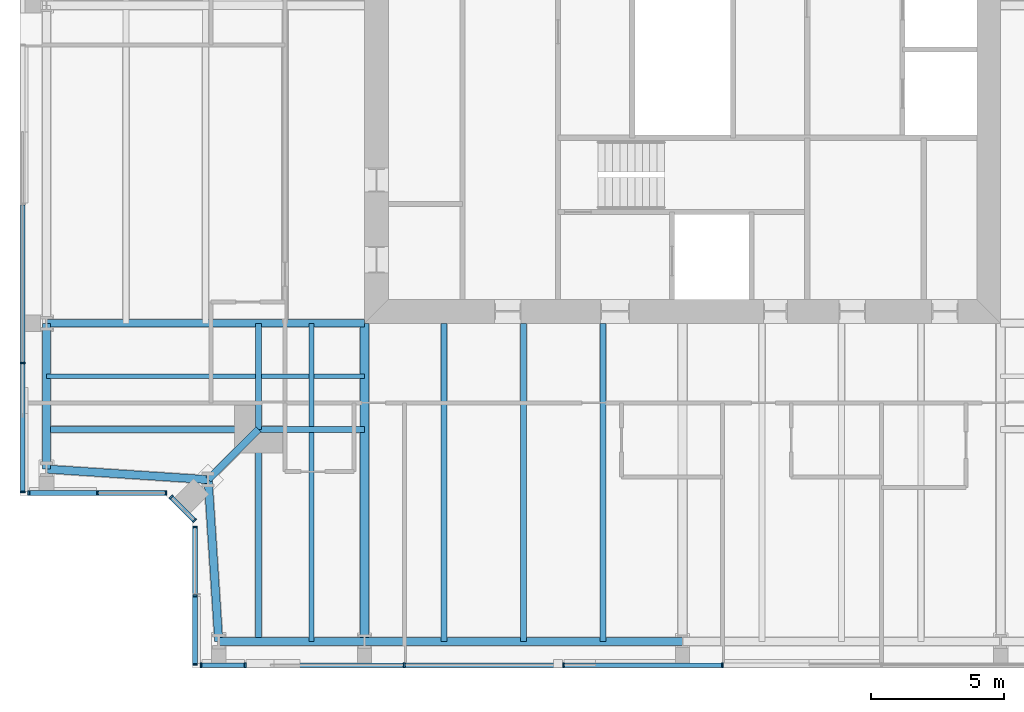
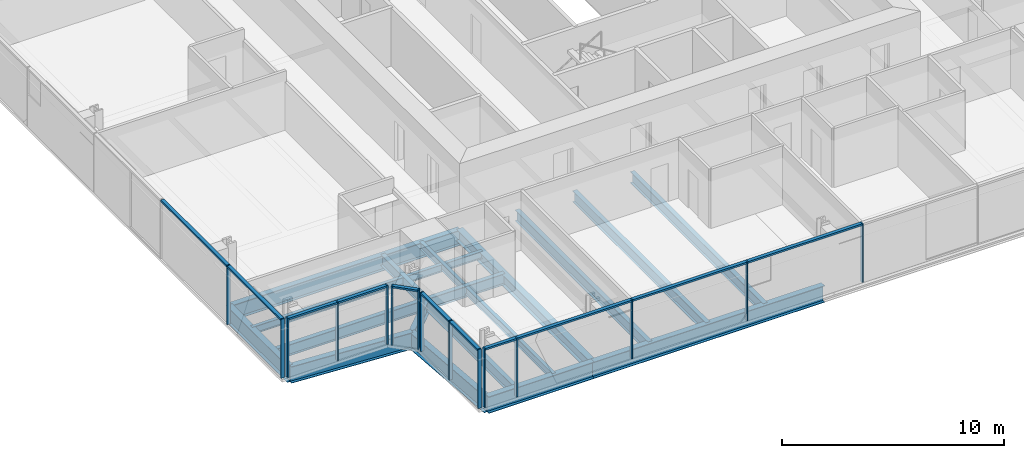
# One storey, part 2 of 20: 26 members, 20 beams, 5 elements without a shape of their own.
"""IFC4 building model written with IfcOpenShell, lengths in metres."""

from ifc_helpers import new_model, si_unit, direction, frame, origin, origin_2d, place, context, subcontext, project, spatial, rectangle, i_section, extrude, material, material_profile, profile_set, type_object, element, aggregate, save


model = new_model("IFC4")

# Units and contexts
model_context = context("Model", 3, precision=1e-05, world=origin(), true_north=direction((0.0, 1.0)))
body_context = subcontext(model_context, "Body", "Model", "MODEL_VIEW")
ifc_project = project(units=[si_unit("LENGTHUNIT", "METRE"), si_unit("AREAUNIT", "SQUARE_METRE"), si_unit("VOLUMEUNIT", "CUBIC_METRE"), si_unit("PLANEANGLEUNIT", "RADIAN"), si_unit("MASSUNIT", "GRAM", prefix="KILO")], contexts=[model_context])

# Site, building, storey
site_placement = place(None, origin())
site = spatial("IfcSite", under=ifc_project, at=site_placement, CompositionType="ELEMENT")
building_placement = place(site_placement, origin())
building = spatial("IfcBuilding", under=site, at=building_placement, Name="Fenwick Lantern Interchange", CompositionType="ELEMENT")
storey_placement = place(building_placement, frame((0.0, 0.0, 279.800048828125)))
storey = spatial("IfcBuildingStorey", under=building, at=storey_placement, Name="L67", CompositionType="ELEMENT", Elevation=279.800048828125)

# Beams
ifc_material_1 = material(Name="Steel ASTM A992 Grade 50", Category="steel")
ifc_material_profile_1 = material_profile(ifc_material_1, i_section(OverallWidth=0.3046875, OverallDepth=0.911865234375, WebThickness=0.015869140625, FlangeThickness=0.02392578125, at=origin_2d()), Name="W36X150")
ifc_profile_set_1 = profile_set([ifc_material_profile_1], Name="Steel ASTM A992 Grade 50")
beam_type_1 = type_object("IfcBeamType", Name="EDGE BEAM W36X150", PredefinedType="SPANDREL", material=ifc_profile_set_1)
beam_1_placement = place(storey_placement, frame((7.5, 1.0, -0.60595703125), z_axis=(1.0, 0.0, 0.0), x_axis=(0.0, 1.0, 0.0)))
element("IfcBeam", 1, at=beam_1_placement, inside=storey, type_object=beam_type_1, Name="L67/FR/S/EB1", PredefinedType="SPANDREL", context=body_context, shape_type="SweptSolid", body=[
    extrude(i_section(OverallWidth=0.3046875, OverallDepth=0.911865234375, WebThickness=0.015869140625, FlangeThickness=0.02392578125, at=origin_2d()), origin(), (0.0, 0.0, 1.0), 5.5),
])
beam_2_placement = place(storey_placement, frame((13.0, 1.0, -0.60595703125), z_axis=(1.0, 0.0, 0.0), x_axis=(0.0, 1.0, 0.0)))
element("IfcBeam", 2, at=beam_2_placement, inside=storey, type_object=beam_type_1, Name="L67/FR/S/EB2", PredefinedType="SPANDREL", context=body_context, shape_type="SweptSolid", body=[
    extrude(i_section(OverallWidth=0.3046875, OverallDepth=0.911865234375, WebThickness=0.015869140625, FlangeThickness=0.02392578125, at=origin_2d()), origin(), (0.0, 0.0, 1.0), 12.0),
])
beam_3_placement = place(storey_placement, frame((1.0, 13.0, -0.60595703125), z_axis=(0.0, -1.0, 0.0), x_axis=(1.0, 0.0, 0.0)))
element("IfcBeam", 3, at=beam_3_placement, inside=storey, type_object=beam_type_1, Name="L67/FR/W/EB4", PredefinedType="SPANDREL", context=body_context, shape_type="SweptSolid", body=[
    extrude(i_section(OverallWidth=0.3046875, OverallDepth=0.911865234375, WebThickness=0.015869140625, FlangeThickness=0.02392578125, at=origin_2d()), origin(), (0.0, 0.0, 1.0), 5.5),
])
for number, where, z_axis, x_axis, name in (
    (4, (1.0, 7.5, -0.60595703125), (0.997858060337, -0.065416293237, 0.0), (0.065416293237, 0.997858060337, 0.0), "L67/FR/W/EBR1"),
    (5, (7.10009765625, 7.10009765625, -0.60595703125), (0.065416293237, -0.997858060337, 0.0), (0.997858060337, 0.065416293237, 0.0), "L67/FR/W/EBR2"),
):
    element("IfcBeam", number, at=place(storey_placement, frame(where, z_axis=z_axis, x_axis=x_axis)), inside=storey, type_object=beam_type_1, Name=name, PredefinedType="SPANDREL", context=body_context, shape_type="SweptSolid", body=[
        extrude(i_section(OverallWidth=0.3046875, OverallDepth=0.911865234375, WebThickness=0.015869140625, FlangeThickness=0.02392578125, at=origin_2d()), origin(), (0.0, 0.0, 1.0), 6.11328125),
    ])
ifc_material_profile_2 = material_profile(ifc_material_1, i_section(OverallWidth=0.22900390625, OverallDepth=0.612060546875, WebThickness=0.011962890625, FlangeThickness=0.01953125, at=origin_2d()), Name="W24X84")
ifc_profile_set_2 = profile_set([ifc_material_profile_2], Name="Steel ASTM A992 Grade 50")
beam_type_2 = type_object("IfcBeamType", Name="FLOOR BEAM W24X84", PredefinedType="BEAM", material=ifc_profile_set_2)
for number, where, z_axis, x_axis, name in (
    (6, (16.0, 1.0, -0.4560546875), (0.0, 1.0, 0.0), (-1.0, 0.0, 0.0), "L67/FR/S/R02"),
    (7, (19.0, 1.0, -0.4560546875), (0.0, 1.0, 0.0), (-1.0, 0.0, 0.0), "L67/FR/S/R03"),
    (8, (22.0, 1.0, -0.4560546875), (0.0, 1.0, 0.0), (-1.0, 0.0, 0.0), "L67/FR/S/R04"),
):
    element("IfcBeam", number, at=place(storey_placement, frame(where, z_axis=z_axis, x_axis=x_axis)), inside=storey, type_object=beam_type_2, Name=name, PredefinedType="BEAM", context=body_context, shape_type="SweptSolid", body=[
        extrude(i_section(OverallWidth=0.22900390625, OverallDepth=0.612060546875, WebThickness=0.011962890625, FlangeThickness=0.01953125, at=origin_2d()), origin(), (0.0, 0.0, 1.0), 12.0),
    ])

# Curtain wall, members
ifc_material_2 = material(Name="Aluminium curtain wall frame", Category="aluminium")
curtain_wall_type = type_object("IfcCurtainWallType", Name="HOTEL CURTAIN WALL", PredefinedType="USERDEFINED", material=ifc_material_2)
curtain_wall_1_placement = place(storey_placement, origin())
curtain_wall_1 = element("IfcCurtainWall", 9, at=curtain_wall_1_placement, inside=storey, type_object=curtain_wall_type, Name="Hotel curtain wall 01", ObjectType="HOTEL CURTAIN WALL", PredefinedType="USERDEFINED")
ifc_material_3 = material(Name="Aluminium extrusion", Category="aluminium")
ifc_material_profile_3 = material_profile(ifc_material_3, rectangle(XDim=0.179931640625, YDim=0.06005859375, at=origin_2d()), Name="HOTEL CURTAIN WALL MULLION 60 X 180")
ifc_profile_set_3 = profile_set([ifc_material_profile_3], Name="Aluminium extrusion")
member_type_1 = type_object("IfcMemberType", Name="HOTEL CURTAIN WALL MULLION 60 X 180", PredefinedType="MULLION", material=ifc_profile_set_3)
member_1_placement = place(storey_placement, frame((6.830078125, 0.10009765625, 0.0), z_axis=(0.0, 0.0, 1.0), x_axis=(0.0, 1.0, 0.0)))
member_1 = element("IfcMember", 10, at=member_1_placement, type_object=member_type_1, Name="L67/CW/01/M00", PredefinedType="MULLION", context=body_context, shape_type="SweptSolid", body=[
    extrude(rectangle(XDim=0.179931640625, YDim=0.06005859375, at=origin_2d()), origin(), (0.0, 0.0, 1.0), 3.25),
])
member_2_placement = place(storey_placement, frame((8.5, 0.10009765625, 0.0), z_axis=(0.0, 0.0, 1.0), x_axis=(0.0, 1.0, 0.0)))
member_2 = element("IfcMember", 11, at=member_2_placement, type_object=member_type_1, Name="L67/CW/01/M01", PredefinedType="MULLION", context=body_context, shape_type="SweptSolid", body=[
    extrude(rectangle(XDim=0.179931640625, YDim=0.06005859375, at=origin_2d()), origin(), (0.0, 0.0, 1.0), 3.25),
])
member_3_placement = place(storey_placement, frame((14.5, 0.10009765625, 0.0), z_axis=(0.0, 0.0, 1.0), x_axis=(0.0, 1.0, 0.0)))
member_3 = element("IfcMember", 12, at=member_3_placement, type_object=member_type_1, Name="L67/CW/01/M02", PredefinedType="MULLION", context=body_context, shape_type="SweptSolid", body=[
    extrude(rectangle(XDim=0.179931640625, YDim=0.06005859375, at=origin_2d()), origin(), (0.0, 0.0, 1.0), 3.25),
])
member_4_placement = place(storey_placement, frame((20.5, 0.10009765625, 0.0), z_axis=(0.0, 0.0, 1.0), x_axis=(0.0, 1.0, 0.0)))
member_4 = element("IfcMember", 13, at=member_4_placement, type_object=member_type_1, Name="L67/CW/01/M03", PredefinedType="MULLION", context=body_context, shape_type="SweptSolid", body=[
    extrude(rectangle(XDim=0.179931640625, YDim=0.06005859375, at=origin_2d()), origin(), (0.0, 0.0, 1.0), 3.25),
])
member_5_placement = place(storey_placement, frame((26.5, 0.10009765625, 0.0), z_axis=(0.0, 0.0, 1.0), x_axis=(0.0, 1.0, 0.0)))
member_5 = element("IfcMember", 14, at=member_5_placement, type_object=member_type_1, Name="L67/CW/01/M04", PredefinedType="MULLION", context=body_context, shape_type="SweptSolid", body=[
    extrude(rectangle(XDim=0.179931640625, YDim=0.06005859375, at=origin_2d()), origin(), (0.0, 0.0, 1.0), 3.25),
])

curtain_wall_2_placement = place(storey_placement, origin())
curtain_wall_2 = element("IfcCurtainWall", 15, at=curtain_wall_2_placement, inside=storey, type_object=curtain_wall_type, Name="Hotel curtain wall 13", ObjectType="HOTEL CURTAIN WALL", PredefinedType="USERDEFINED")
member_6_placement = place(storey_placement, frame((0.10009765625, 11.5, 0.0), z_axis=(0.0, 0.0, 1.0), x_axis=(1.0, 0.0, 0.0)))
member_6 = element("IfcMember", 16, at=member_6_placement, type_object=member_type_1, Name="L67/CW/13/M06", PredefinedType="MULLION", context=body_context, shape_type="SweptSolid", body=[
    extrude(rectangle(XDim=0.179931640625, YDim=0.06005859375, at=origin_2d()), origin(), (0.0, 0.0, 1.0), 3.25),
])
member_7_placement = place(storey_placement, frame((0.10009765625, 6.6298828125, 0.0), z_axis=(0.0, 0.0, 1.0), x_axis=(1.0, 0.0, 0.0)))
member_7 = element("IfcMember", 17, at=member_7_placement, type_object=member_type_1, Name="L67/CW/13/M07", PredefinedType="MULLION", context=body_context, shape_type="SweptSolid", body=[
    extrude(rectangle(XDim=0.179931640625, YDim=0.06005859375, at=origin_2d()), origin(), (0.0, 0.0, 1.0), 3.25),
])

curtain_wall_3_placement = place(storey_placement, origin())
curtain_wall_3 = element("IfcCurtainWall", 18, at=curtain_wall_3_placement, inside=storey, type_object=curtain_wall_type, Name="Hotel curtain wall 14", ObjectType="HOTEL CURTAIN WALL", PredefinedType="USERDEFINED")
member_8_placement = place(storey_placement, frame((0.330078125, 6.60009765625, 0.0), z_axis=(0.0, 0.0, 1.0), x_axis=(0.0, 1.0, 0.0)))
member_8 = element("IfcMember", 19, at=member_8_placement, type_object=member_type_1, Name="L67/CW/14/M00", PredefinedType="MULLION", context=body_context, shape_type="SweptSolid", body=[
    extrude(rectangle(XDim=0.179931640625, YDim=0.06005859375, at=origin_2d()), origin(), (0.0, 0.0, 1.0), 3.25),
])
member_9_placement = place(storey_placement, frame((2.920654296875, 6.60009765625, 0.0), z_axis=(0.0, 0.0, 1.0), x_axis=(0.0, 1.0, 0.0)))
member_9 = element("IfcMember", 20, at=member_9_placement, type_object=member_type_1, Name="L67/CW/14/M01", PredefinedType="MULLION", context=body_context, shape_type="SweptSolid", body=[
    extrude(rectangle(XDim=0.179931640625, YDim=0.06005859375, at=origin_2d()), origin(), (0.0, 0.0, 1.0), 3.25),
])
member_10_placement = place(storey_placement, frame((5.511474609375, 6.60009765625, 0.0), z_axis=(0.0, 0.0, 1.0), x_axis=(0.0, 1.0, 0.0)))
member_10 = element("IfcMember", 21, at=member_10_placement, type_object=member_type_1, Name="L67/CW/14/M02", PredefinedType="MULLION", context=body_context, shape_type="SweptSolid", body=[
    extrude(rectangle(XDim=0.179931640625, YDim=0.06005859375, at=origin_2d()), origin(), (0.0, 0.0, 1.0), 3.25),
])

curtain_wall_4_placement = place(storey_placement, origin())
curtain_wall_4 = element("IfcCurtainWall", 22, at=curtain_wall_4_placement, inside=storey, type_object=curtain_wall_type, Name="Hotel curtain wall 15", ObjectType="HOTEL CURTAIN WALL", PredefinedType="USERDEFINED")
member_11_placement = place(storey_placement, frame((5.7041015625, 6.437255859375, 0.0), z_axis=(0.0, 0.0, 1.0), x_axis=(0.707106781187, 0.707106781187, 0.0)))
member_11 = element("IfcMember", 23, at=member_11_placement, type_object=member_type_1, Name="L67/CW/15/M00", PredefinedType="MULLION", context=body_context, shape_type="SweptSolid", body=[
    extrude(rectangle(XDim=0.179931640625, YDim=0.06005859375, at=origin_2d()), origin(), (0.0, 0.0, 1.0), 3.25),
])
member_12_placement = place(storey_placement, frame((6.578857421875, 5.562744140625, 0.0), z_axis=(0.0, 0.0, 1.0), x_axis=(0.707106781187, 0.707106781187, 0.0)))
member_12 = element("IfcMember", 24, at=member_12_placement, type_object=member_type_1, Name="L67/CW/15/M01", PredefinedType="MULLION", context=body_context, shape_type="SweptSolid", body=[
    extrude(rectangle(XDim=0.179931640625, YDim=0.06005859375, at=origin_2d()), origin(), (0.0, 0.0, 1.0), 3.25),
])

curtain_wall_5_placement = place(storey_placement, origin())
curtain_wall_5 = element("IfcCurtainWall", 25, at=curtain_wall_5_placement, inside=storey, type_object=curtain_wall_type, Name="Hotel curtain wall 16", ObjectType="HOTEL CURTAIN WALL", PredefinedType="USERDEFINED")
member_13_placement = place(storey_placement, frame((6.60009765625, 5.3115234375, 0.0), z_axis=(0.0, 0.0, 1.0), x_axis=(1.0, 0.0, 0.0)))
member_13 = element("IfcMember", 26, at=member_13_placement, type_object=member_type_1, Name="L67/CW/16/M00", PredefinedType="MULLION", context=body_context, shape_type="SweptSolid", body=[
    extrude(rectangle(XDim=0.179931640625, YDim=0.06005859375, at=origin_2d()), origin(), (0.0, 0.0, 1.0), 3.25),
])
member_14_placement = place(storey_placement, frame((6.60009765625, 2.720703125, 0.0), z_axis=(0.0, 0.0, 1.0), x_axis=(1.0, 0.0, 0.0)))
member_14 = element("IfcMember", 27, at=member_14_placement, type_object=member_type_1, Name="L67/CW/16/M01", PredefinedType="MULLION", context=body_context, shape_type="SweptSolid", body=[
    extrude(rectangle(XDim=0.179931640625, YDim=0.06005859375, at=origin_2d()), origin(), (0.0, 0.0, 1.0), 3.25),
])
member_15_placement = place(storey_placement, frame((6.60009765625, 0.1298828125, 0.0), z_axis=(0.0, 0.0, 1.0), x_axis=(1.0, 0.0, 0.0)))
member_15 = element("IfcMember", 28, at=member_15_placement, type_object=member_type_1, Name="L67/CW/16/M02", PredefinedType="MULLION", context=body_context, shape_type="SweptSolid", body=[
    extrude(rectangle(XDim=0.179931640625, YDim=0.06005859375, at=origin_2d()), origin(), (0.0, 0.0, 1.0), 3.25),
])

# Member
ifc_material_profile_4 = material_profile(ifc_material_3, rectangle(XDim=0.179931640625, YDim=0.10009765625, at=origin_2d()), Name="HOTEL CURTAIN WALL TRANSOM 100 X 180")
ifc_profile_set_4 = profile_set([ifc_material_profile_4], Name="Aluminium extrusion")
member_type_2 = type_object("IfcMemberType", Name="HOTEL CURTAIN WALL TRANSOM 100 X 180", PredefinedType="MULLION", material=ifc_profile_set_4)
member_16_placement = place(storey_placement, frame((6.860107421875, 0.10009765625, 3.199951171875), z_axis=(1.0, 0.0, 0.0), x_axis=(0.0, 1.0, 0.0)))
member_16 = element("IfcMember", 29, at=member_16_placement, type_object=member_type_2, Name="L67/CW/01/T00", PredefinedType="MULLION", context=body_context, shape_type="SweptSolid", body=[
    extrude(rectangle(XDim=0.179931640625, YDim=0.10009765625, at=origin_2d()), origin(), (0.0, 0.0, 1.0), 1.60986328125),
])

member_17_placement = place(storey_placement, frame((8.530029296875, 0.10009765625, 3.199951171875), z_axis=(1.0, 0.0, 0.0), x_axis=(0.0, 1.0, 0.0)))
member_17 = element("IfcMember", 30, at=member_17_placement, type_object=member_type_2, Name="L67/CW/01/T01", PredefinedType="MULLION", context=body_context, shape_type="SweptSolid", body=[
    extrude(rectangle(XDim=0.179931640625, YDim=0.10009765625, at=origin_2d()), origin(), (0.0, 0.0, 1.0), 5.93994140625),
])

member_18_placement = place(storey_placement, frame((14.530029296875, 0.10009765625, 3.199951171875), z_axis=(1.0, 0.0, 0.0), x_axis=(0.0, 1.0, 0.0)))
member_18 = element("IfcMember", 31, at=member_18_placement, type_object=member_type_2, Name="L67/CW/01/T02", PredefinedType="MULLION", context=body_context, shape_type="SweptSolid", body=[
    extrude(rectangle(XDim=0.179931640625, YDim=0.10009765625, at=origin_2d()), origin(), (0.0, 0.0, 1.0), 5.93994140625),
])

member_19_placement = place(storey_placement, frame((20.530029296875, 0.10009765625, 3.199951171875), z_axis=(1.0, 0.0, 0.0), x_axis=(0.0, 1.0, 0.0)))
member_19 = element("IfcMember", 32, at=member_19_placement, type_object=member_type_2, Name="L67/CW/01/T03", PredefinedType="MULLION", context=body_context, shape_type="SweptSolid", body=[
    extrude(rectangle(XDim=0.179931640625, YDim=0.10009765625, at=origin_2d()), origin(), (0.0, 0.0, 1.0), 5.93994140625),
])

aggregate(curtain_wall_1, [member_1, member_2, member_3, member_4, member_5, member_16, member_17, member_18, member_19])

member_20_placement = place(storey_placement, frame((0.10009765625, 17.469970703125, 3.199951171875), z_axis=(0.0, -1.0, 0.0), x_axis=(1.0, 0.0, 0.0)))
member_20 = element("IfcMember", 33, at=member_20_placement, type_object=member_type_2, Name="L67/CW/13/T05", PredefinedType="MULLION", context=body_context, shape_type="SweptSolid", body=[
    extrude(rectangle(XDim=0.179931640625, YDim=0.10009765625, at=origin_2d()), origin(), (0.0, 0.0, 1.0), 5.93994140625),
])

member_21_placement = place(storey_placement, frame((0.10009765625, 11.469970703125, 3.199951171875), z_axis=(0.0, -1.0, 0.0), x_axis=(1.0, 0.0, 0.0)))
member_21 = element("IfcMember", 34, at=member_21_placement, type_object=member_type_2, Name="L67/CW/13/T06", PredefinedType="MULLION", context=body_context, shape_type="SweptSolid", body=[
    extrude(rectangle(XDim=0.179931640625, YDim=0.10009765625, at=origin_2d()), origin(), (0.0, 0.0, 1.0), 4.81005859375),
])

aggregate(curtain_wall_2, [member_6, member_7, member_20, member_21])

member_22_placement = place(storey_placement, frame((0.360107421875, 6.60009765625, 3.199951171875), z_axis=(1.0, 0.0, 0.0), x_axis=(0.0, 1.0, 0.0)))
member_22 = element("IfcMember", 35, at=member_22_placement, type_object=member_type_2, Name="L67/CW/14/T00", PredefinedType="MULLION", context=body_context, shape_type="SweptSolid", body=[
    extrude(rectangle(XDim=0.179931640625, YDim=0.10009765625, at=origin_2d()), origin(), (0.0, 0.0, 1.0), 2.530517578125),
])

member_23_placement = place(storey_placement, frame((2.95068359375, 6.60009765625, 3.199951171875), z_axis=(1.0, 0.0, 0.0), x_axis=(0.0, 1.0, 0.0)))
member_23 = element("IfcMember", 36, at=member_23_placement, type_object=member_type_2, Name="L67/CW/14/T01", PredefinedType="MULLION", context=body_context, shape_type="SweptSolid", body=[
    extrude(rectangle(XDim=0.179931640625, YDim=0.10009765625, at=origin_2d()), origin(), (0.0, 0.0, 1.0), 2.53076171875),
])

aggregate(curtain_wall_3, [member_8, member_9, member_10, member_22, member_23])

member_24_placement = place(storey_placement, frame((5.725341796875, 6.416259765625, 3.199951171875), z_axis=(0.707003077033, -0.707210470133, 0.0), x_axis=(0.707210470133, 0.707003077033, 0.0)))
member_24 = element("IfcMember", 37, at=member_24_placement, type_object=member_type_2, Name="L67/CW/15/T00", PredefinedType="MULLION", context=body_context, shape_type="SweptSolid", body=[
    extrude(rectangle(XDim=0.179931640625, YDim=0.10009765625, at=origin_2d()), origin(), (0.0, 0.0, 1.0), 1.17724609375),
])

aggregate(curtain_wall_4, [member_11, member_12, member_24])

member_25_placement = place(storey_placement, frame((6.60009765625, 5.281494140625, 3.199951171875), z_axis=(0.0, -1.0, 0.0), x_axis=(1.0, 0.0, 0.0)))
member_25 = element("IfcMember", 38, at=member_25_placement, type_object=member_type_2, Name="L67/CW/16/T00", PredefinedType="MULLION", context=body_context, shape_type="SweptSolid", body=[
    extrude(rectangle(XDim=0.179931640625, YDim=0.10009765625, at=origin_2d()), origin(), (0.0, 0.0, 1.0), 2.53076171875),
])

member_26_placement = place(storey_placement, frame((6.60009765625, 2.690673828125, 3.199951171875), z_axis=(0.0, -1.0, 0.0), x_axis=(1.0, 0.0, 0.0)))
member_26 = element("IfcMember", 39, at=member_26_placement, type_object=member_type_2, Name="L67/CW/16/T01", PredefinedType="MULLION", context=body_context, shape_type="SweptSolid", body=[
    extrude(rectangle(XDim=0.179931640625, YDim=0.10009765625, at=origin_2d()), origin(), (0.0, 0.0, 1.0), 2.53076171875),
])

aggregate(curtain_wall_5, [member_13, member_14, member_15, member_25, member_26])

# Beams
ifc_material_profile_5 = material_profile(ifc_material_1, i_section(OverallWidth=0.177734375, OverallDepth=0.406494140625, WebThickness=0.0078125, FlangeThickness=0.012939453125, at=origin_2d()), Name="W16X40")
ifc_profile_set_5 = profile_set([ifc_material_profile_5], Name="Steel ASTM A992 Grade 50")
beam_type_3 = type_object("IfcBeamType", Name="INFILL BEAM W16X40", PredefinedType="JOIST", material=ifc_profile_set_5)
beam_4_placement = place(storey_placement, frame((11.0, 1.0, -0.353271484375), z_axis=(0.0, 1.0, 0.0), x_axis=(-1.0, 0.0, 0.0)))
element("IfcBeam", 40, at=beam_4_placement, inside=storey, type_object=beam_type_3, Name="L67/FR/S/J1", PredefinedType="JOIST", context=body_context, shape_type="SweptSolid", body=[
    extrude(i_section(OverallWidth=0.177734375, OverallDepth=0.406494140625, WebThickness=0.0078125, FlangeThickness=0.012939453125, at=origin_2d()), origin(), (0.0, 0.0, 1.0), 7.885498046875),
])
beam_5_placement = place(storey_placement, frame((11.0, 9.114501953125, -0.353271484375), z_axis=(0.0, 1.0, 0.0), x_axis=(-1.0, 0.0, 0.0)))
element("IfcBeam", 41, at=beam_5_placement, inside=storey, type_object=beam_type_3, Name="L67/FR/S/J2", PredefinedType="JOIST", context=body_context, shape_type="SweptSolid", body=[
    extrude(i_section(OverallWidth=0.177734375, OverallDepth=0.406494140625, WebThickness=0.0078125, FlangeThickness=0.012939453125, at=origin_2d()), origin(), (0.0, 0.0, 1.0), 3.885498046875),
])
beam_6_placement = place(storey_placement, frame((1.0, 11.0, -0.353271484375), z_axis=(1.0, 0.0, 0.0), x_axis=(0.0, 1.0, 0.0)))
element("IfcBeam", 42, at=beam_6_placement, inside=storey, type_object=beam_type_3, Name="L67/FR/S/J3", PredefinedType="JOIST", context=body_context, shape_type="SweptSolid", body=[
    extrude(i_section(OverallWidth=0.177734375, OverallDepth=0.406494140625, WebThickness=0.0078125, FlangeThickness=0.012939453125, at=origin_2d()), origin(), (0.0, 0.0, 1.0), 7.885498046875),
])
beam_7_placement = place(storey_placement, frame((9.114501953125, 11.0, -0.353271484375), z_axis=(1.0, 0.0, 0.0), x_axis=(0.0, 1.0, 0.0)))
element("IfcBeam", 43, at=beam_7_placement, inside=storey, type_object=beam_type_3, Name="L67/FR/S/J4", PredefinedType="JOIST", context=body_context, shape_type="SweptSolid", body=[
    extrude(i_section(OverallWidth=0.177734375, OverallDepth=0.406494140625, WebThickness=0.0078125, FlangeThickness=0.012939453125, at=origin_2d()), origin(), (0.0, 0.0, 1.0), 1.796630859375),
])
beam_8_placement = place(storey_placement, frame((11.0888671875, 11.0, -0.353271484375), z_axis=(1.0, 0.0, 0.0), x_axis=(0.0, 1.0, 0.0)))
element("IfcBeam", 44, at=beam_8_placement, inside=storey, type_object=beam_type_3, Name="L67/FR/S/J5", PredefinedType="JOIST", context=body_context, shape_type="SweptSolid", body=[
    extrude(i_section(OverallWidth=0.177734375, OverallDepth=0.406494140625, WebThickness=0.0078125, FlangeThickness=0.012939453125, at=origin_2d()), origin(), (0.0, 0.0, 1.0), 1.9111328125),
])
ifc_material_profile_6 = material_profile(ifc_material_1, i_section(OverallWidth=0.22900390625, OverallDepth=0.612060546875, WebThickness=0.011962890625, FlangeThickness=0.01953125, at=origin_2d()), Name="W24X84")
ifc_profile_set_6 = profile_set([ifc_material_profile_6], Name="Steel ASTM A992 Grade 50")
beam_type_4 = type_object("IfcBeamType", Name="MEGA COLUMN BEAM W24X84", PredefinedType="BEAM", material=ifc_profile_set_6)
for number, where, z_axis, x_axis, name in (
    (45, (9.0, 9.0, -0.4560546875), (0.0, -1.0, 0.0), (1.0, 0.0, 0.0), "L67/FR/S/MB1"),
    (46, (9.0, 9.0, -0.4560546875), (-1.0, 0.0, 0.0), (0.0, -1.0, 0.0), "L67/FR/S/MB2"),
):
    element("IfcBeam", number, at=place(storey_placement, frame(where, z_axis=z_axis, x_axis=x_axis)), inside=storey, type_object=beam_type_4, Name=name, PredefinedType="BEAM", context=body_context, shape_type="SweptSolid", body=[
        extrude(i_section(OverallWidth=0.22900390625, OverallDepth=0.612060546875, WebThickness=0.011962890625, FlangeThickness=0.01953125, at=origin_2d()), origin(), (0.0, 0.0, 1.0), 8.0),
    ])
for number, where, z_axis, x_axis, name in (
    (47, (9.0, 9.0, -0.4560546875), (1.0, 0.0, 0.0), (0.0, 1.0, 0.0), "L67/FR/S/MB3"),
    (48, (9.0, 9.0, -0.4560546875), (0.0, 1.0, 0.0), (-1.0, 0.0, 0.0), "L67/FR/S/MB4"),
):
    element("IfcBeam", number, at=place(storey_placement, frame(where, z_axis=z_axis, x_axis=x_axis)), inside=storey, type_object=beam_type_4, Name=name, PredefinedType="BEAM", context=body_context, shape_type="SweptSolid", body=[
        extrude(i_section(OverallWidth=0.22900390625, OverallDepth=0.612060546875, WebThickness=0.011962890625, FlangeThickness=0.01953125, at=origin_2d()), origin(), (0.0, 0.0, 1.0), 4.0),
    ])
ifc_material_profile_7 = material_profile(ifc_material_1, i_section(OverallWidth=0.32763671875, OverallDepth=0.622314453125, WebThickness=0.015380859375, FlangeThickness=0.0244140625, at=origin_2d()), Name="W24X131")
ifc_profile_set_7 = profile_set([ifc_material_profile_7], Name="Steel ASTM A992 Grade 50")
beam_type_5 = type_object("IfcBeamType", Name="MOMENT-CONNECTED GIRDER W24X131", PredefinedType="BEAM", material=ifc_profile_set_7)
beam_9_placement = place(storey_placement, frame((13.0, 1.0, -0.461181640625), z_axis=(0.0, 1.0, 0.0), x_axis=(-1.0, 0.0, 0.0)))
element("IfcBeam", 49, at=beam_9_placement, inside=storey, type_object=beam_type_5, Name="L67/FR/S/R01", PredefinedType="BEAM", context=body_context, shape_type="SweptSolid", body=[
    extrude(i_section(OverallWidth=0.32763671875, OverallDepth=0.622314453125, WebThickness=0.015380859375, FlangeThickness=0.0244140625, at=origin_2d()), origin(), (0.0, 0.0, 1.0), 12.0),
])
ifc_material_profile_8 = material_profile(ifc_material_1, i_section(OverallWidth=0.2919921875, OverallDepth=0.845703125, WebThickness=0.015380859375, FlangeThickness=0.0244140625, at=origin_2d()), Name="W33X141")
ifc_profile_set_8 = profile_set([ifc_material_profile_8], Name="Steel ASTM A992 Grade 50")
beam_type_6 = type_object("IfcBeamType", Name="MOMENT-CONNECTED GIRDER W33X141", PredefinedType="BEAM", material=ifc_profile_set_8)
beam_10_placement = place(storey_placement, frame((1.0, 13.0, -0.572998046875), z_axis=(1.0, 0.0, 0.0), x_axis=(0.0, 1.0, 0.0)))
element("IfcBeam", 50, at=beam_10_placement, inside=storey, type_object=beam_type_6, Name="L67/FR/W/R03", PredefinedType="BEAM", context=body_context, shape_type="SweptSolid", body=[
    extrude(i_section(OverallWidth=0.2919921875, OverallDepth=0.845703125, WebThickness=0.015380859375, FlangeThickness=0.0244140625, at=origin_2d()), origin(), (0.0, 0.0, 1.0), 12.0),
])
ifc_material_profile_9 = material_profile(ifc_material_1, i_section(OverallWidth=0.2666015625, OverallDepth=0.7568359375, WebThickness=0.013916015625, FlangeThickness=0.019287109375, at=origin_2d()), Name="W30X108")
ifc_profile_set_9 = profile_set([ifc_material_profile_9], Name="Steel ASTM A992 Grade 50")
beam_type_7 = type_object("IfcBeamType", Name="NOTCH BEAM W30X108", PredefinedType="BEAM", material=ifc_profile_set_9)
beam_11_placement = place(storey_placement, frame((9.0, 9.0, -0.528564453125), z_axis=(-0.707106781187, -0.707106781187, 0.0), x_axis=(0.707106781187, -0.707106781187, 0.0)))
element("IfcBeam", 51, at=beam_11_placement, inside=storey, type_object=beam_type_7, Name="L67/FR/S/TG", PredefinedType="BEAM", context=body_context, shape_type="SweptSolid", body=[
    extrude(i_section(OverallWidth=0.2666015625, OverallDepth=0.7568359375, WebThickness=0.013916015625, FlangeThickness=0.019287109375, at=origin_2d()), origin(), (0.0, 0.0, 1.0), 2.686767578125),
])

save(model, "model.ifc")
